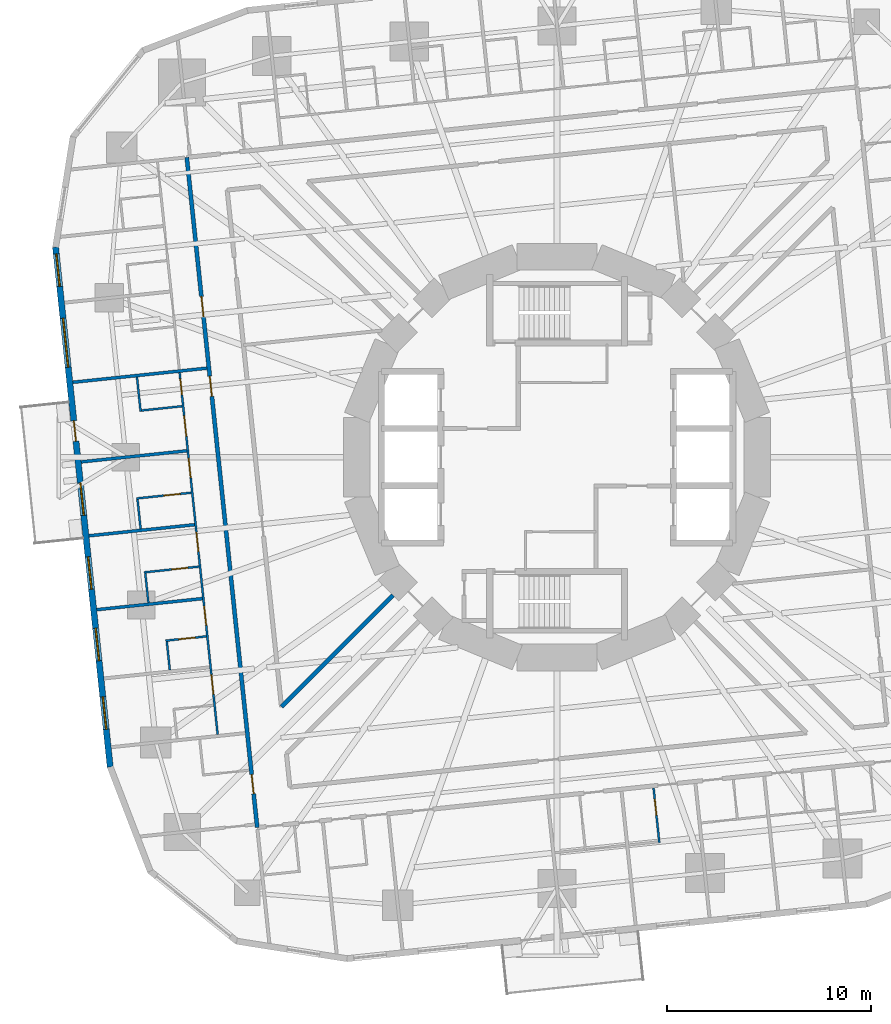
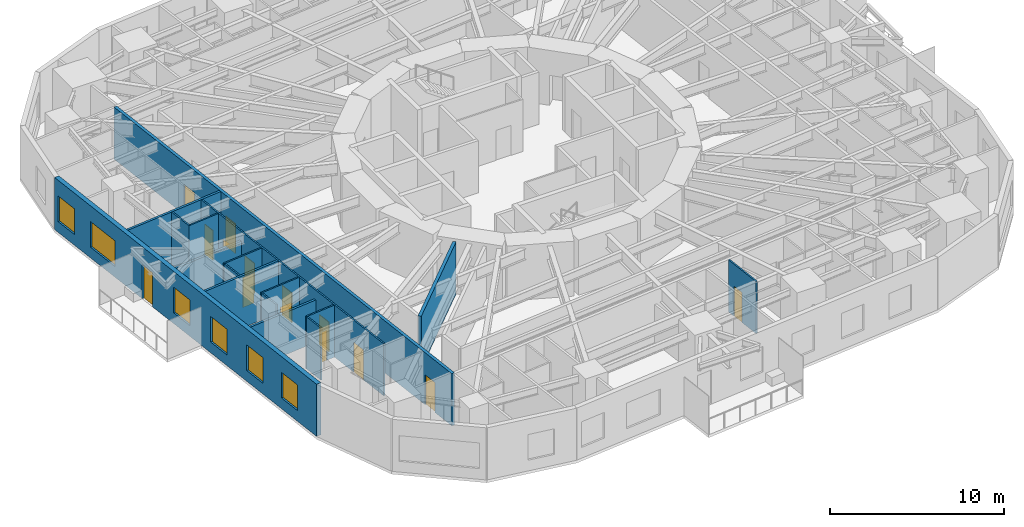
# One storey, part 6 of 15: 17 walls, 14 doors, 6 windows, 20 openings.
"""IFC4 building model written with IfcOpenShell, lengths in metres."""

from ifc_helpers import new_model, si_unit, direction, frame, frame_2d, origin, place, context, subcontext, project, spatial, rectangle, extrude, material, layer, layer_set, type_object, element, fill, save


model = new_model("IFC4")

# Units and contexts
model_context = context("Model", 3, precision=1e-05, world=origin(), true_north=direction((0.0, 1.0)))
body_context = subcontext(model_context, "Body", "Model", "MODEL_VIEW")
ifc_project = project(units=[si_unit("LENGTHUNIT", "METRE"), si_unit("AREAUNIT", "SQUARE_METRE"), si_unit("VOLUMEUNIT", "CUBIC_METRE"), si_unit("PLANEANGLEUNIT", "RADIAN"), si_unit("MASSUNIT", "GRAM", prefix="KILO")], contexts=[model_context])

# Site, building, storey
site_placement = place(None, origin())
site = spatial("IfcSite", under=ifc_project, at=site_placement, CompositionType="ELEMENT")
building_placement = place(site_placement, origin())
building = spatial("IfcBuilding", under=site, at=building_placement, Name="Nakasero Lantern House", CompositionType="ELEMENT")
storey_placement = place(building_placement, frame((0.0, 0.0, 64.35009765625)))
storey = spatial("IfcBuildingStorey", under=building, at=storey_placement, Name="L15", CompositionType="ELEMENT", Elevation=64.35009765625)

# Wall, openings, doors
ifc_material_1 = material(Name="Blockwork", Category="masonry")
ifc_layer_1 = layer(ifc_material_1, 0.10009765625)
ifc_layer_set_1 = layer_set([ifc_layer_1], Name="Cluster hall wall 100")
wall_type_1 = type_object("IfcWallType", Name="Cluster hall wall 100", PredefinedType="PARTITIONING", material=ifc_layer_set_1)
wall_1_placement = place(storey_placement, frame((-18.484375, 4.143798828125, 0.0), z_axis=(0.0, 0.0, 1.0), x_axis=(0.104524313484, -0.994522331519, 0.0)))
wall_1 = element("IfcWall", 1, at=wall_1_placement, inside=storey, type_object=wall_type_1, Name="Cluster hall wall L15 HW2-1", PredefinedType="PARTITIONING", context=body_context, shape_type="SweptSolid", body=[
    extrude(rectangle(XDim=17.8193359375, YDim=0.10009765625, at=frame_2d((8.90966796875, 0.0))), origin(), (0.0, 0.0, 1.0), 3.64990234375),
])
opening_1_placement = place(wall_1_placement, frame((2.125, 0.0, 0.0)))
opening_1 = element("IfcOpeningElement", 2, at=opening_1_placement, cuts=wall_1, Name="Opening D03", PredefinedType="OPENING", context=body_context, shape_type="SweptSolid", body=[
    extrude(rectangle(XDim=1.0, YDim=2.10009765625, at=frame_2d((0.5, 1.050048828125))), frame((0.0, 0.070068359375, 0.0), z_axis=(0.0, -1.0, 0.0), x_axis=(1.0, 0.0, 0.0)), (0.0, 0.0, 1.0), 0.14013671875),
])
opening_2_placement = place(wall_1_placement, frame((0.300048828125, 0.0, 0.0)))
opening_2 = element("IfcOpeningElement", 3, at=opening_2_placement, cuts=wall_1, Name="Opening D02", PredefinedType="OPENING", context=body_context, shape_type="SweptSolid", body=[
    extrude(rectangle(XDim=0.800048828125, YDim=2.10009765625, at=frame_2d((0.39990234375, 1.050048828125))), frame((0.0, 0.070068359375, 0.0), z_axis=(0.0, -1.0, 0.0), x_axis=(1.0, 0.0, 0.0)), (0.0, 0.0, 1.0), 0.14013671875),
])
opening_3_placement = place(wall_1_placement, frame((4.22119140625, 0.0, 0.0)))
opening_3 = element("IfcOpeningElement", 4, at=opening_3_placement, cuts=wall_1, Name="Opening D01", PredefinedType="OPENING", context=body_context, shape_type="SweptSolid", body=[
    extrude(rectangle(XDim=0.949951171875, YDim=2.10009765625, at=frame_2d((0.47509765625, 1.050048828125))), frame((0.0, 0.070068359375, 0.0), z_axis=(0.0, -1.0, 0.0), x_axis=(1.0, 0.0, 0.0)), (0.0, 0.0, 1.0), 0.14013671875),
])
opening_4_placement = place(wall_1_placement, frame((7.859619140625, 0.0, 0.0)))
opening_4 = element("IfcOpeningElement", 5, at=opening_4_placement, cuts=wall_1, Name="Opening D01", PredefinedType="OPENING", context=body_context, shape_type="SweptSolid", body=[
    extrude(rectangle(XDim=0.949951171875, YDim=2.10009765625, at=frame_2d((0.47509765625, 1.050048828125))), frame((0.0, 0.070068359375, 0.0), z_axis=(0.0, -1.0, 0.0), x_axis=(1.0, 0.0, 0.0)), (0.0, 0.0, 1.0), 0.14013671875),
])
opening_5_placement = place(wall_1_placement, frame((11.498291015625, 0.0, 0.0)))
opening_5 = element("IfcOpeningElement", 6, at=opening_5_placement, cuts=wall_1, Name="Opening D01", PredefinedType="OPENING", context=body_context, shape_type="SweptSolid", body=[
    extrude(rectangle(XDim=0.949951171875, YDim=2.10009765625, at=frame_2d((0.47509765625, 1.050048828125))), frame((0.0, 0.070068359375, 0.0), z_axis=(0.0, -1.0, 0.0), x_axis=(1.0, 0.0, 0.0)), (0.0, 0.0, 1.0), 0.14013671875),
])
opening_6_placement = place(wall_1_placement, frame((14.8837890625, 0.0, 0.0)))
opening_6 = element("IfcOpeningElement", 7, at=opening_6_placement, cuts=wall_1, Name="Opening D01", PredefinedType="OPENING", context=body_context, shape_type="SweptSolid", body=[
    extrude(rectangle(XDim=0.949951171875, YDim=2.10009765625, at=frame_2d((0.47509765625, 1.050048828125))), frame((0.0, 0.070068359375, 0.0), z_axis=(0.0, -1.0, 0.0), x_axis=(1.0, 0.0, 0.0)), (0.0, 0.0, 1.0), 0.14013671875),
])
ifc_material_2 = material(Name="Timber C24", Category="wood")
door_type_1 = type_object("IfcDoorType", Name="Bedroom door FD30S 950", OperationType="SINGLE_SWING_LEFT", PredefinedType="DOOR", material=ifc_material_2)
door_1_placement = place(opening_3_placement, origin())
door_1 = element("IfcDoor", 8, at=door_1_placement, inside=storey, type_object=door_type_1, Name="Door L15 D2-04", OperationType="SINGLE_SWING_LEFT", OverallHeight=2.10009765625, OverallWidth=0.949951171875, PredefinedType="DOOR", context=body_context, shape_type="SweptSolid", body=[
    extrude(rectangle(XDim=0.949951171875, YDim=2.10009765625, at=frame_2d((0.47509765625, 1.050048828125))), frame((0.0, 0.02490234375, 0.0), z_axis=(0.0, -1.0, 0.0), x_axis=(1.0, 0.0, 0.0)), (0.0, 0.0, 1.0), 0.050048828125),
])
fill(opening_3, door_1)
door_2_placement = place(opening_4_placement, origin())
door_2 = element("IfcDoor", 9, at=door_2_placement, inside=storey, type_object=door_type_1, Name="Door L15 D2-05", OperationType="SINGLE_SWING_LEFT", OverallHeight=2.10009765625, OverallWidth=0.949951171875, PredefinedType="DOOR", context=body_context, shape_type="SweptSolid", body=[
    extrude(rectangle(XDim=0.949951171875, YDim=2.10009765625, at=frame_2d((0.47509765625, 1.050048828125))), frame((0.0, 0.02490234375, 0.0), z_axis=(0.0, -1.0, 0.0), x_axis=(1.0, 0.0, 0.0)), (0.0, 0.0, 1.0), 0.050048828125),
])
fill(opening_4, door_2)
door_3_placement = place(opening_5_placement, origin())
door_3 = element("IfcDoor", 10, at=door_3_placement, inside=storey, type_object=door_type_1, Name="Door L15 D2-06", OperationType="SINGLE_SWING_RIGHT", OverallHeight=2.10009765625, OverallWidth=0.949951171875, PredefinedType="DOOR", context=body_context, shape_type="SweptSolid", body=[
    extrude(rectangle(XDim=0.949951171875, YDim=2.10009765625, at=frame_2d((0.47509765625, 1.050048828125))), frame((0.0, 0.02490234375, 0.0), z_axis=(0.0, -1.0, 0.0), x_axis=(1.0, 0.0, 0.0)), (0.0, 0.0, 1.0), 0.050048828125),
])
fill(opening_5, door_3)
door_4_placement = place(opening_6_placement, origin())
door_4 = element("IfcDoor", 11, at=door_4_placement, inside=storey, type_object=door_type_1, Name="Door L15 D2-07", OperationType="SINGLE_SWING_RIGHT", OverallHeight=2.10009765625, OverallWidth=0.949951171875, PredefinedType="DOOR", context=body_context, shape_type="SweptSolid", body=[
    extrude(rectangle(XDim=0.949951171875, YDim=2.10009765625, at=frame_2d((0.47509765625, 1.050048828125))), frame((0.0, 0.02490234375, 0.0), z_axis=(0.0, -1.0, 0.0), x_axis=(1.0, 0.0, 0.0)), (0.0, 0.0, 1.0), 0.050048828125),
])
fill(opening_6, door_4)
ifc_material_3 = material(Name="Timber C24", Category="wood")
door_type_2 = type_object("IfcDoorType", Name="En-suite door 800", OperationType="SINGLE_SWING_RIGHT", PredefinedType="DOOR", material=ifc_material_3)
door_5_placement = place(opening_2_placement, origin())
door_5 = element("IfcDoor", 12, at=door_5_placement, inside=storey, type_object=door_type_2, Name="Door L15 DSH2-1", OperationType="SINGLE_SWING_LEFT", OverallHeight=2.10009765625, OverallWidth=0.800048828125, PredefinedType="DOOR", context=body_context, shape_type="SweptSolid", body=[
    extrude(rectangle(XDim=0.800048828125, YDim=2.10009765625, at=frame_2d((0.39990234375, 1.050048828125))), frame((0.0, 0.02490234375, 0.0), z_axis=(0.0, -1.0, 0.0), x_axis=(1.0, 0.0, 0.0)), (0.0, 0.0, 1.0), 0.050048828125),
])
fill(opening_2, door_5)
ifc_material_4 = material(Name="Timber C24", Category="wood")
door_type_3 = type_object("IfcDoorType", Name="Lounge door FD30S 1000", OperationType="SINGLE_SWING_LEFT", PredefinedType="DOOR", material=ifc_material_4)
door_6_placement = place(opening_1_placement, origin())
door_6 = element("IfcDoor", 13, at=door_6_placement, inside=storey, type_object=door_type_3, Name="Door L15 DH2-1", OperationType="SINGLE_SWING_LEFT", OverallHeight=2.10009765625, OverallWidth=1.0, PredefinedType="DOOR", context=body_context, shape_type="SweptSolid", body=[
    extrude(rectangle(XDim=1.0, YDim=2.10009765625, at=frame_2d((0.5, 1.050048828125))), frame((0.0, 0.02490234375, 0.0), z_axis=(0.0, -1.0, 0.0), x_axis=(1.0, 0.0, 0.0)), (0.0, 0.0, 1.0), 0.050048828125),
])
fill(opening_1, door_6)

ifc_material_5 = material(Name="Blockwork", Category="masonry")
ifc_layer_2 = layer(ifc_material_5, 0.199951171875)
ifc_layer_set_2 = layer_set([ifc_layer_2], Name="Corridor wall 200")
wall_type_2 = type_object("IfcWallType", Name="Corridor wall 200", PredefinedType="PARTITIONING", material=ifc_layer_set_2)
wall_2_placement = place(storey_placement, frame((-18.13427734375, 14.684814453125, 0.0), z_axis=(0.0, 0.0, 1.0), x_axis=(0.10452958258, -0.994521777723, 0.0)))
wall_2 = element("IfcWall", 14, at=wall_2_placement, inside=storey, type_object=wall_type_2, Name="Corridor wall L15 CW2", PredefinedType="PARTITIONING", context=body_context, shape_type="SweptSolid", body=[
    extrude(rectangle(XDim=32.999755859375, YDim=0.199951171875, at=frame_2d((16.5, 0.0))), origin(), (0.0, 0.0, 1.0), 3.64990234375),
])
opening_7_placement = place(wall_2_placement, frame((6.8505859375, 0.0, 0.0)))
opening_7 = element("IfcOpeningElement", 15, at=opening_7_placement, cuts=wall_2, Name="Opening D14", PredefinedType="OPENING", context=body_context, shape_type="SweptSolid", body=[
    extrude(rectangle(XDim=1.0, YDim=2.10009765625, at=frame_2d((0.5, 1.050048828125))), frame((0.0, 0.119873046875, 0.0), z_axis=(0.0, -1.0, 0.0), x_axis=(1.0, 0.0, 0.0)), (0.0, 0.0, 1.0), 0.239990234375),
])
opening_8_placement = place(wall_2_placement, frame((10.771728515625, 0.0, 0.0)))
opening_8 = element("IfcOpeningElement", 16, at=opening_8_placement, cuts=wall_2, Name="Opening D14", PredefinedType="OPENING", context=body_context, shape_type="SweptSolid", body=[
    extrude(rectangle(XDim=1.0, YDim=2.10009765625, at=frame_2d((0.5, 1.050048828125))), frame((0.0, 0.119873046875, 0.0), z_axis=(0.0, -1.0, 0.0), x_axis=(1.0, 0.0, 0.0)), (0.0, 0.0, 1.0), 0.239990234375),
])
opening_9_placement = place(wall_2_placement, frame((30.39111328125, 0.0, 0.0)))
opening_9 = element("IfcOpeningElement", 17, at=opening_9_placement, cuts=wall_2, Name="Opening D01", PredefinedType="OPENING", context=body_context, shape_type="SweptSolid", body=[
    extrude(rectangle(XDim=0.949951171875, YDim=2.10009765625, at=frame_2d((0.47509765625, 1.050048828125))), frame((0.0, 0.119873046875, 0.0), z_axis=(0.0, -1.0, 0.0), x_axis=(1.0, 0.0, 0.0)), (0.0, 0.0, 1.0), 0.239990234375),
])
door_7_placement = place(opening_9_placement, origin())
door_7 = element("IfcDoor", 18, at=door_7_placement, inside=storey, type_object=door_type_1, Name="Door L15 D2-08", OperationType="SINGLE_SWING_RIGHT", OverallHeight=2.10009765625, OverallWidth=0.949951171875, PredefinedType="DOOR", context=body_context, shape_type="SweptSolid", body=[
    extrude(rectangle(XDim=0.949951171875, YDim=2.10009765625, at=frame_2d((0.47509765625, 1.050048828125))), frame((0.0, 0.02490234375, 0.0), z_axis=(0.0, -1.0, 0.0), x_axis=(1.0, 0.0, 0.0)), (0.0, 0.0, 1.0), 0.050048828125),
])
fill(opening_9, door_7)
ifc_material_6 = material(Name="Timber C24", Category="wood")
door_type_4 = type_object("IfcDoorType", Name="Cluster entrance door FD30S 1000", OperationType="SINGLE_SWING_LEFT", PredefinedType="DOOR", material=ifc_material_6)
door_8_placement = place(opening_7_placement, origin())
door_8 = element("IfcDoor", 19, at=door_8_placement, inside=storey, type_object=door_type_4, Name="Door L15 DF2-0", OperationType="SINGLE_SWING_LEFT", OverallHeight=2.10009765625, OverallWidth=1.0, PredefinedType="DOOR", context=body_context, shape_type="SweptSolid", body=[
    extrude(rectangle(XDim=1.0, YDim=2.10009765625, at=frame_2d((0.5, 1.050048828125))), frame((0.0, 0.02490234375, 0.0), z_axis=(0.0, -1.0, 0.0), x_axis=(1.0, 0.0, 0.0)), (0.0, 0.0, 1.0), 0.050048828125),
])
fill(opening_7, door_8)
door_9_placement = place(opening_8_placement, origin())
door_9 = element("IfcDoor", 20, at=door_9_placement, inside=storey, type_object=door_type_4, Name="Door L15 DF2-1", OperationType="SINGLE_SWING_LEFT", OverallHeight=2.10009765625, OverallWidth=1.0, PredefinedType="DOOR", context=body_context, shape_type="SweptSolid", body=[
    extrude(rectangle(XDim=1.0, YDim=2.10009765625, at=frame_2d((0.5, 1.050048828125))), frame((0.0, 0.02490234375, 0.0), z_axis=(0.0, -1.0, 0.0), x_axis=(1.0, 0.0, 0.0)), (0.0, 0.0, 1.0), 0.050048828125),
])
fill(opening_8, door_9)

# Walls
wall_3_placement = place(storey_placement, frame((-8.03125, -6.758544921875, 0.0), z_axis=(0.0, 0.0, 1.0), x_axis=(-0.707122575573, -0.707090986447, 0.0)))
element("IfcWall", 21, at=wall_3_placement, inside=storey, type_object=wall_type_2, Name="Corridor wall L15 PS10b", PredefinedType="PARTITIONING", context=body_context, shape_type="SweptSolid", body=[
    extrude(rectangle(XDim=7.728515625, YDim=0.199951171875, at=frame_2d((3.8642578125, 0.0))), origin(), (0.0, 0.0, 1.0), 3.64990234375),
])
ifc_material_7 = material(Name="Blockwork", Category="masonry")
ifc_layer_3 = layer(ifc_material_7, 0.10009765625)
ifc_layer_set_3 = layer_set([ifc_layer_3], Name="En-suite wall 100")
wall_type_3 = type_object("IfcWallType", Name="En-suite wall 100", PredefinedType="PARTITIONING", material=ifc_layer_set_3)
wall_4_placement = place(storey_placement, frame((-18.361572265625, 2.49755859375, 0.0), z_axis=(0.0, 0.0, 1.0), x_axis=(-0.994523910136, -0.104509292252, 0.0)))
element("IfcWall", 22, at=wall_4_placement, inside=storey, type_object=wall_type_3, Name="En-suite wall L15 SS2-1", PredefinedType="PARTITIONING", context=body_context, shape_type="SweptSolid", body=[
    extrude(rectangle(XDim=2.10009765625, YDim=0.10009765625, at=frame_2d((1.050048828125, 0.0))), origin(), (0.0, 0.0, 1.0), 3.64990234375),
])
wall_5_placement = place(storey_placement, frame((-20.572998046875, 3.92431640625, 0.0), z_axis=(0.0, 0.0, 1.0), x_axis=(0.104550220202, -0.994519608382, 0.0)))
element("IfcWall", 23, at=wall_5_placement, inside=storey, type_object=wall_type_3, Name="En-suite wall L15 SE2-1", PredefinedType="PARTITIONING", context=body_context, shape_type="SweptSolid", body=[
    extrude(rectangle(XDim=1.699951171875, YDim=0.10009765625, at=frame_2d((0.85009765625, 0.0))), origin(), (0.0, 0.0, 1.0), 3.64990234375),
])

# Wall, opening, door
wall_6_placement = place(storey_placement, frame((-17.91650390625, -1.73876953125, 0.0), z_axis=(0.0, 0.0, 1.0), x_axis=(-0.994521297289, -0.104534153452, 0.0)))
wall_6 = element("IfcWall", 24, at=wall_6_placement, inside=storey, type_object=wall_type_3, Name="En-suite wall L15 ES2-04", PredefinedType="PARTITIONING", context=body_context, shape_type="SweptSolid", body=[
    extrude(rectangle(XDim=2.699951171875, YDim=0.10009765625, at=frame_2d((1.35009765625, 0.0))), origin(), (0.0, 0.0, 1.0), 3.64990234375),
])
opening_10_placement = place(wall_6_placement, frame((0.550048828125, 0.0, 0.0)))
opening_10 = element("IfcOpeningElement", 25, at=opening_10_placement, cuts=wall_6, Name="Opening D02", PredefinedType="OPENING", context=body_context, shape_type="SweptSolid", body=[
    extrude(rectangle(XDim=0.800048828125, YDim=2.10009765625, at=frame_2d((0.39990234375, 1.050048828125))), frame((0.0, 0.070068359375, 0.0), z_axis=(0.0, -1.0, 0.0), x_axis=(1.0, 0.0, 0.0)), (0.0, 0.0, 1.0), 0.14013671875),
])
door_10_placement = place(opening_10_placement, origin())
door_10 = element("IfcDoor", 26, at=door_10_placement, inside=storey, type_object=door_type_2, Name="Door L15 DE2-04", OperationType="SINGLE_SWING_LEFT", OverallHeight=2.10009765625, OverallWidth=0.800048828125, PredefinedType="DOOR", context=body_context, shape_type="SweptSolid", body=[
    extrude(rectangle(XDim=0.800048828125, YDim=2.10009765625, at=frame_2d((0.39990234375, 1.050048828125))), frame((0.0, 0.02490234375, 0.0), z_axis=(0.0, -1.0, 0.0), x_axis=(1.0, 0.0, 0.0)), (0.0, 0.0, 1.0), 0.050048828125),
])
fill(opening_10, door_10)

# Wall
wall_7_placement = place(storey_placement, frame((-20.546630859375, -2.0654296875, 0.0), z_axis=(0.0, 0.0, 1.0), x_axis=(0.10455332221, -0.994519282274, 0.0)))
element("IfcWall", 27, at=wall_7_placement, inside=storey, type_object=wall_type_3, Name="En-suite wall L15 EE2-04", PredefinedType="PARTITIONING", context=body_context, shape_type="SweptSolid", body=[
    extrude(rectangle(XDim=1.4501953125, YDim=0.10009765625, at=frame_2d((0.72509765625, 0.0))), origin(), (0.0, 0.0, 1.0), 3.64990234375),
])

# Wall, opening, door
wall_8_placement = place(storey_placement, frame((-17.5361328125, -5.357421875, 0.0), z_axis=(0.0, 0.0, 1.0), x_axis=(-0.994521297289, -0.104534153452, 0.0)))
wall_8 = element("IfcWall", 28, at=wall_8_placement, inside=storey, type_object=wall_type_3, Name="En-suite wall L15 ES2-05", PredefinedType="PARTITIONING", context=body_context, shape_type="SweptSolid", body=[
    extrude(rectangle(XDim=2.699951171875, YDim=0.10009765625, at=frame_2d((1.35009765625, 0.0))), origin(), (0.0, 0.0, 1.0), 3.64990234375),
])
opening_11_placement = place(wall_8_placement, frame((0.550048828125, 0.0, 0.0)))
opening_11 = element("IfcOpeningElement", 29, at=opening_11_placement, cuts=wall_8, Name="Opening D02", PredefinedType="OPENING", context=body_context, shape_type="SweptSolid", body=[
    extrude(rectangle(XDim=0.800048828125, YDim=2.10009765625, at=frame_2d((0.39990234375, 1.050048828125))), frame((0.0, 0.070068359375, 0.0), z_axis=(0.0, -1.0, 0.0), x_axis=(1.0, 0.0, 0.0)), (0.0, 0.0, 1.0), 0.14013671875),
])
door_11_placement = place(opening_11_placement, origin())
door_11 = element("IfcDoor", 30, at=door_11_placement, inside=storey, type_object=door_type_2, Name="Door L15 DE2-05", OperationType="SINGLE_SWING_LEFT", OverallHeight=2.10009765625, OverallWidth=0.800048828125, PredefinedType="DOOR", context=body_context, shape_type="SweptSolid", body=[
    extrude(rectangle(XDim=0.800048828125, YDim=2.10009765625, at=frame_2d((0.39990234375, 1.050048828125))), frame((0.0, 0.02490234375, 0.0), z_axis=(0.0, -1.0, 0.0), x_axis=(1.0, 0.0, 0.0)), (0.0, 0.0, 1.0), 0.050048828125),
])
fill(opening_11, door_11)

# Wall
wall_9_placement = place(storey_placement, frame((-20.166259765625, -5.68408203125, 0.0), z_axis=(0.0, 0.0, 1.0), x_axis=(0.10455332221, -0.994519282274, 0.0)))
element("IfcWall", 31, at=wall_9_placement, inside=storey, type_object=wall_type_3, Name="En-suite wall L15 EE2-05", PredefinedType="PARTITIONING", context=body_context, shape_type="SweptSolid", body=[
    extrude(rectangle(XDim=1.4501953125, YDim=0.10009765625, at=frame_2d((0.72509765625, 0.0))), origin(), (0.0, 0.0, 1.0), 3.64990234375),
])

# Wall, opening, door
wall_10_placement = place(storey_placement, frame((-17.177001953125, -8.774169921875, 0.0), z_axis=(0.0, 0.0, 1.0), x_axis=(-0.99452550138, -0.104494148666, 0.0)))
wall_10 = element("IfcWall", 32, at=wall_10_placement, inside=storey, type_object=wall_type_3, Name="En-suite wall L15 ES2-06", PredefinedType="PARTITIONING", context=body_context, shape_type="SweptSolid", body=[
    extrude(rectangle(XDim=2.0, YDim=0.10009765625, at=frame_2d((1.0, 0.0))), origin(), (0.0, 0.0, 1.0), 3.64990234375),
])
opening_12_placement = place(wall_10_placement, frame((0.550048828125, 0.0, 0.0)))
opening_12 = element("IfcOpeningElement", 33, at=opening_12_placement, cuts=wall_10, Name="Opening D02", PredefinedType="OPENING", context=body_context, shape_type="SweptSolid", body=[
    extrude(rectangle(XDim=0.800048828125, YDim=2.10009765625, at=frame_2d((0.39990234375, 1.050048828125))), frame((0.0, 0.070068359375, 0.0), z_axis=(0.0, -1.0, 0.0), x_axis=(1.0, 0.0, 0.0)), (0.0, 0.0, 1.0), 0.14013671875),
])
door_12_placement = place(opening_12_placement, origin())
door_12 = element("IfcDoor", 34, at=door_12_placement, inside=storey, type_object=door_type_2, Name="Door L15 DE2-06", OperationType="SINGLE_SWING_LEFT", OverallHeight=2.10009765625, OverallWidth=0.800048828125, PredefinedType="DOOR", context=body_context, shape_type="SweptSolid", body=[
    extrude(rectangle(XDim=0.800048828125, YDim=2.10009765625, at=frame_2d((0.39990234375, 1.050048828125))), frame((0.0, 0.02490234375, 0.0), z_axis=(0.0, -1.0, 0.0), x_axis=(1.0, 0.0, 0.0)), (0.0, 0.0, 1.0), 0.050048828125),
])
fill(opening_12, door_12)

# Wall
wall_11_placement = place(storey_placement, frame((-19.111083984375, -9.027587890625, 0.0), z_axis=(0.0, 0.0, 1.0), x_axis=(0.104630319263, -0.994511184598, 0.0)))
element("IfcWall", 35, at=wall_11_placement, inside=storey, type_object=wall_type_3, Name="En-suite wall L15 EE2-06", PredefinedType="PARTITIONING", context=body_context, shape_type="SweptSolid", body=[
    extrude(rectangle(XDim=1.39990234375, YDim=0.10009765625, at=frame_2d((0.699951171875, 0.0))), origin(), (0.0, 0.0, 1.0), 3.64990234375),
])

# Wall, opening, door
wall_12_placement = place(storey_placement, frame((4.72509765625, -16.19482421875, 0.0), z_axis=(0.0, 0.0, 1.0), x_axis=(0.104524753323, -0.994522285292, 0.0)))
wall_12 = element("IfcWall", 36, at=wall_12_placement, inside=storey, type_object=wall_type_3, Name="En-suite wall L15 ES3-05", PredefinedType="PARTITIONING", context=body_context, shape_type="SweptSolid", body=[
    extrude(rectangle(XDim=2.7001953125, YDim=0.10009765625, at=frame_2d((1.35009765625, 0.0))), origin(), (0.0, 0.0, 1.0), 3.64990234375),
])
opening_13_placement = place(wall_12_placement, frame((0.550048828125, 0.0, 0.0)))
opening_13 = element("IfcOpeningElement", 37, at=opening_13_placement, cuts=wall_12, Name="Opening D02", PredefinedType="OPENING", context=body_context, shape_type="SweptSolid", body=[
    extrude(rectangle(XDim=0.800048828125, YDim=2.10009765625, at=frame_2d((0.39990234375, 1.050048828125))), frame((0.0, 0.070068359375, 0.0), z_axis=(0.0, -1.0, 0.0), x_axis=(1.0, 0.0, 0.0)), (0.0, 0.0, 1.0), 0.14013671875),
])
door_13_placement = place(opening_13_placement, origin())
door_13 = element("IfcDoor", 38, at=door_13_placement, inside=storey, type_object=door_type_2, Name="Door L15 DE3-05", OperationType="SINGLE_SWING_LEFT", OverallHeight=2.10009765625, OverallWidth=0.800048828125, PredefinedType="DOOR", context=body_context, shape_type="SweptSolid", body=[
    extrude(rectangle(XDim=0.800048828125, YDim=2.10009765625, at=frame_2d((0.39990234375, 1.050048828125))), frame((0.0, 0.02490234375, 0.0), z_axis=(0.0, -1.0, 0.0), x_axis=(1.0, 0.0, 0.0)), (0.0, 0.0, 1.0), 0.050048828125),
])
fill(opening_13, door_13)

# Wall, openings, door, windows
ifc_material_8 = material(Name="Aluminium rainscreen on blockwork", Category="masonry")
ifc_layer_4 = layer(ifc_material_8, 0.300048828125)
ifc_layer_set_4 = layer_set([ifc_layer_4], Name="Facade wall 300")
wall_type_4 = type_object("IfcWallType", Name="Facade wall 300", PredefinedType="SOLIDWALL", material=ifc_layer_set_4)
wall_13_placement = place(storey_placement, frame((-24.56005859375, 10.2890625, 0.0), z_axis=(0.0, 0.0, 1.0), x_axis=(0.104532378096, -0.994521483895, 0.0)))
wall_13 = element("IfcWall", 39, at=wall_13_placement, inside=storey, type_object=wall_type_4, Name="Facade wall L15 FW2S", PredefinedType="SOLIDWALL", context=body_context, shape_type="SweptSolid", body=[
    extrude(rectangle(XDim=25.599853515625, YDim=0.300048828125, at=frame_2d((12.7998046875, 0.0))), origin(), (0.0, 0.0, 1.0), 3.64990234375),
])
opening_14_placement = place(wall_13_placement, frame((0.337890625, 0.0, 0.75)))
opening_14 = element("IfcOpeningElement", 40, at=opening_14_placement, cuts=wall_13, Name="Opening W01", PredefinedType="OPENING", context=body_context, shape_type="SweptSolid", body=[
    extrude(rectangle(XDim=1.60009765625, YDim=1.800048828125, at=frame_2d((0.800048828125, 0.89990234375))), frame((0.0, 0.169921875, 0.0), z_axis=(0.0, -1.0, 0.0), x_axis=(1.0, 0.0, 0.0)), (0.0, 0.0, 1.0), 0.340087890625),
])
opening_15_placement = place(wall_13_placement, frame((11.612060546875, 0.0, 0.75)))
opening_15 = element("IfcOpeningElement", 41, at=opening_15_placement, cuts=wall_13, Name="Opening W01", PredefinedType="OPENING", context=body_context, shape_type="SweptSolid", body=[
    extrude(rectangle(XDim=1.60009765625, YDim=1.800048828125, at=frame_2d((0.800048828125, 0.89990234375))), frame((0.0, 0.169921875, 0.0), z_axis=(0.0, -1.0, 0.0), x_axis=(1.0, 0.0, 0.0)), (0.0, 0.0, 1.0), 0.340087890625),
])
opening_16_placement = place(wall_13_placement, frame((15.250732421875, 0.0, 0.75)))
opening_16 = element("IfcOpeningElement", 42, at=opening_16_placement, cuts=wall_13, Name="Opening W01", PredefinedType="OPENING", context=body_context, shape_type="SweptSolid", body=[
    extrude(rectangle(XDim=1.60009765625, YDim=1.800048828125, at=frame_2d((0.800048828125, 0.89990234375))), frame((0.0, 0.169921875, 0.0), z_axis=(0.0, -1.0, 0.0), x_axis=(1.0, 0.0, 0.0)), (0.0, 0.0, 1.0), 0.340087890625),
])
opening_17_placement = place(wall_13_placement, frame((18.7626953125, 0.0, 0.75)))
opening_17 = element("IfcOpeningElement", 43, at=opening_17_placement, cuts=wall_13, Name="Opening W01", PredefinedType="OPENING", context=body_context, shape_type="SweptSolid", body=[
    extrude(rectangle(XDim=1.60009765625, YDim=1.800048828125, at=frame_2d((0.800048828125, 0.89990234375))), frame((0.0, 0.169921875, 0.0), z_axis=(0.0, -1.0, 0.0), x_axis=(1.0, 0.0, 0.0)), (0.0, 0.0, 1.0), 0.340087890625),
])
opening_18_placement = place(wall_13_placement, frame((22.1484375, 0.0, 0.75)))
opening_18 = element("IfcOpeningElement", 44, at=opening_18_placement, cuts=wall_13, Name="Opening W01", PredefinedType="OPENING", context=body_context, shape_type="SweptSolid", body=[
    extrude(rectangle(XDim=1.60009765625, YDim=1.800048828125, at=frame_2d((0.800048828125, 0.89990234375))), frame((0.0, 0.169921875, 0.0), z_axis=(0.0, -1.0, 0.0), x_axis=(1.0, 0.0, 0.0)), (0.0, 0.0, 1.0), 0.340087890625),
])
opening_19_placement = place(wall_13_placement, frame((3.51123046875, 0.0, 0.75)))
opening_19 = element("IfcOpeningElement", 45, at=opening_19_placement, cuts=wall_13, Name="Opening W03", PredefinedType="OPENING", context=body_context, shape_type="SweptSolid", body=[
    extrude(rectangle(XDim=2.39990234375, YDim=1.800048828125, at=frame_2d((1.199951171875, 0.89990234375))), frame((0.0, 0.169921875, 0.0), z_axis=(0.0, -1.0, 0.0), x_axis=(1.0, 0.0, 0.0)), (0.0, 0.0, 1.0), 0.340087890625),
])
opening_20_placement = place(wall_13_placement, frame((8.558837890625, 0.0, 0.0)))
opening_20 = element("IfcOpeningElement", 46, at=opening_20_placement, cuts=wall_13, Name="Opening D04", PredefinedType="OPENING", context=body_context, shape_type="SweptSolid", body=[
    extrude(rectangle(XDim=1.0, YDim=2.39990234375, at=frame_2d((0.5, 1.199951171875))), frame((0.0, 0.169921875, 0.0), z_axis=(0.0, -1.0, 0.0), x_axis=(1.0, 0.0, 0.0)), (0.0, 0.0, 1.0), 0.340087890625),
])
ifc_material_9 = material(Name="Aluminium 6063-T6 and glass", Category="aluminium")
door_type_5 = type_object("IfcDoorType", Name="Balcony door 1000x2400", OperationType="SINGLE_SWING_RIGHT", PredefinedType="DOOR", material=ifc_material_9)
door_14_placement = place(opening_20_placement, origin())
door_14 = element("IfcDoor", 47, at=door_14_placement, inside=storey, type_object=door_type_5, Name="Balcony door L15 DB2", OperationType="SINGLE_SWING_RIGHT", OverallHeight=2.39990234375, OverallWidth=1.0, PredefinedType="DOOR", context=body_context, shape_type="SweptSolid", body=[
    extrude(rectangle(XDim=1.0, YDim=2.39990234375, at=frame_2d((0.5, 1.199951171875))), frame((0.0, 0.02490234375, 0.0), z_axis=(0.0, -1.0, 0.0), x_axis=(1.0, 0.0, 0.0)), (0.0, 0.0, 1.0), 0.050048828125),
])
fill(opening_20, door_14)
ifc_material_10 = material(Name="Aluminium 6063-T6 and glass", Category="aluminium")
window_type_1 = type_object("IfcWindowType", Name="Bedroom window 1600x1800", PartitioningType="SINGLE_PANEL", PredefinedType="WINDOW", material=ifc_material_10)
window_1_placement = place(opening_14_placement, origin())
window_1 = element("IfcWindow", 48, at=window_1_placement, inside=storey, type_object=window_type_1, Name="Window L15 WN2-01", OverallHeight=1.800048828125, OverallWidth=1.60009765625, PartitioningType="SINGLE_PANEL", PredefinedType="WINDOW", context=body_context, shape_type="SweptSolid", body=[
    extrude(rectangle(XDim=1.60009765625, YDim=1.800048828125, at=frame_2d((0.800048828125, 0.89990234375))), frame((0.0, 0.030029296875, 0.0), z_axis=(0.0, -1.0, 0.0), x_axis=(1.0, 0.0, 0.0)), (0.0, 0.0, 1.0), 0.06005859375),
])
fill(opening_14, window_1)
window_2_placement = place(opening_15_placement, origin())
window_2 = element("IfcWindow", 49, at=window_2_placement, inside=storey, type_object=window_type_1, Name="Window L15 WN2-04", OverallHeight=1.800048828125, OverallWidth=1.60009765625, PartitioningType="SINGLE_PANEL", PredefinedType="WINDOW", context=body_context, shape_type="SweptSolid", body=[
    extrude(rectangle(XDim=1.60009765625, YDim=1.800048828125, at=frame_2d((0.800048828125, 0.89990234375))), frame((0.0, 0.030029296875, 0.0), z_axis=(0.0, -1.0, 0.0), x_axis=(1.0, 0.0, 0.0)), (0.0, 0.0, 1.0), 0.06005859375),
])
fill(opening_15, window_2)
window_3_placement = place(opening_16_placement, origin())
window_3 = element("IfcWindow", 50, at=window_3_placement, inside=storey, type_object=window_type_1, Name="Window L15 WN2-05", OverallHeight=1.800048828125, OverallWidth=1.60009765625, PartitioningType="SINGLE_PANEL", PredefinedType="WINDOW", context=body_context, shape_type="SweptSolid", body=[
    extrude(rectangle(XDim=1.60009765625, YDim=1.800048828125, at=frame_2d((0.800048828125, 0.89990234375))), frame((0.0, 0.030029296875, 0.0), z_axis=(0.0, -1.0, 0.0), x_axis=(1.0, 0.0, 0.0)), (0.0, 0.0, 1.0), 0.06005859375),
])
fill(opening_16, window_3)
window_4_placement = place(opening_17_placement, origin())
window_4 = element("IfcWindow", 51, at=window_4_placement, inside=storey, type_object=window_type_1, Name="Window L15 WN2-06", OverallHeight=1.800048828125, OverallWidth=1.60009765625, PartitioningType="SINGLE_PANEL", PredefinedType="WINDOW", context=body_context, shape_type="SweptSolid", body=[
    extrude(rectangle(XDim=1.60009765625, YDim=1.800048828125, at=frame_2d((0.800048828125, 0.89990234375))), frame((0.0, 0.030029296875, 0.0), z_axis=(0.0, -1.0, 0.0), x_axis=(1.0, 0.0, 0.0)), (0.0, 0.0, 1.0), 0.06005859375),
])
fill(opening_17, window_4)
window_5_placement = place(opening_18_placement, origin())
window_5 = element("IfcWindow", 52, at=window_5_placement, inside=storey, type_object=window_type_1, Name="Window L15 WN2-07", OverallHeight=1.800048828125, OverallWidth=1.60009765625, PartitioningType="SINGLE_PANEL", PredefinedType="WINDOW", context=body_context, shape_type="SweptSolid", body=[
    extrude(rectangle(XDim=1.60009765625, YDim=1.800048828125, at=frame_2d((0.800048828125, 0.89990234375))), frame((0.0, 0.030029296875, 0.0), z_axis=(0.0, -1.0, 0.0), x_axis=(1.0, 0.0, 0.0)), (0.0, 0.0, 1.0), 0.06005859375),
])
fill(opening_18, window_5)
ifc_material_11 = material(Name="Aluminium 6063-T6 and glass", Category="aluminium")
window_type_2 = type_object("IfcWindowType", Name="Lounge window 2400x1800", PartitioningType="SINGLE_PANEL", PredefinedType="WINDOW", material=ifc_material_11)
window_6_placement = place(opening_19_placement, origin())
window_6 = element("IfcWindow", 53, at=window_6_placement, inside=storey, type_object=window_type_2, Name="Window L15 WK2", OverallHeight=1.800048828125, OverallWidth=2.39990234375, PartitioningType="SINGLE_PANEL", PredefinedType="WINDOW", context=body_context, shape_type="SweptSolid", body=[
    extrude(rectangle(XDim=2.39990234375, YDim=1.800048828125, at=frame_2d((1.199951171875, 0.89990234375))), frame((0.0, 0.030029296875, 0.0), z_axis=(0.0, -1.0, 0.0), x_axis=(1.0, 0.0, 0.0)), (0.0, 0.0, 1.0), 0.06005859375),
])
fill(opening_19, window_6)

# Walls
ifc_material_12 = material(Name="Blockwork", Category="masonry")
ifc_layer_5 = layer(ifc_material_12, 0.14990234375)
ifc_layer_set_5 = layer_set([ifc_layer_5], Name="Party wall 150")
wall_type_5 = type_object("IfcWallType", Name="Party wall 150", PredefinedType="PARTITIONING", material=ifc_layer_set_5)
wall_14_placement = place(storey_placement, frame((-17.149658203125, 4.359619140625, 0.0), z_axis=(0.0, 0.0, 1.0), x_axis=(-0.994520846901, -0.104538438287, 0.0)))
element("IfcWall", 54, at=wall_14_placement, inside=storey, type_object=wall_type_5, Name="Party wall L15 PW2-03", PredefinedType="PARTITIONING", context=body_context, shape_type="SweptSolid", body=[
    extrude(rectangle(XDim=6.599853515625, YDim=0.14990234375, at=frame_2d((3.2998046875, 0.0))), origin(), (0.0, 0.0, 1.0), 3.64990234375),
])
wall_15_placement = place(storey_placement, frame((-18.132080078125, 0.3134765625, 0.0), z_axis=(0.0, 0.0, 1.0), x_axis=(-0.994523959761, -0.104508820017, 0.0)))
element("IfcWall", 55, at=wall_15_placement, inside=storey, type_object=wall_type_5, Name="Party wall L15 PW2-04", PredefinedType="PARTITIONING", context=body_context, shape_type="SweptSolid", body=[
    extrude(rectangle(XDim=5.2001953125, YDim=0.14990234375, at=frame_2d((2.60009765625, 0.0))), origin(), (0.0, 0.0, 1.0), 2.96630859375),
])
wall_16_placement = place(storey_placement, frame((-17.751708984375, -3.30517578125, 0.0), z_axis=(0.0, 0.0, 1.0), x_axis=(-0.994523959761, -0.104508820017, 0.0)))
element("IfcWall", 56, at=wall_16_placement, inside=storey, type_object=wall_type_5, Name="Party wall L15 PW2-05", PredefinedType="PARTITIONING", context=body_context, shape_type="SweptSolid", body=[
    extrude(rectangle(XDim=5.2001953125, YDim=0.14990234375, at=frame_2d((2.60009765625, 0.0))), origin(), (0.0, 0.0, 1.0), 3.64990234375),
])
wall_17_placement = place(storey_placement, frame((-17.371337890625, -6.923828125, 0.0), z_axis=(0.0, 0.0, 1.0), x_axis=(-0.994523959761, -0.104508820017, 0.0)))
element("IfcWall", 57, at=wall_17_placement, inside=storey, type_object=wall_type_5, Name="Party wall L15 PW2-06", PredefinedType="PARTITIONING", context=body_context, shape_type="SweptSolid", body=[
    extrude(rectangle(XDim=5.2001953125, YDim=0.14990234375, at=frame_2d((2.60009765625, 0.0))), origin(), (0.0, 0.0, 1.0), 2.96630859375),
])

save(model, "model.ifc")
